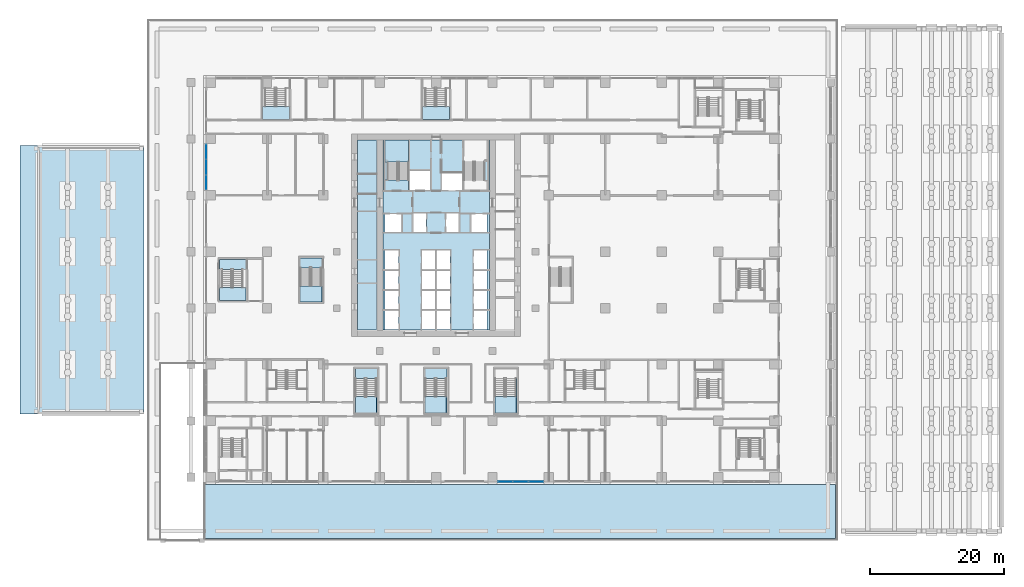
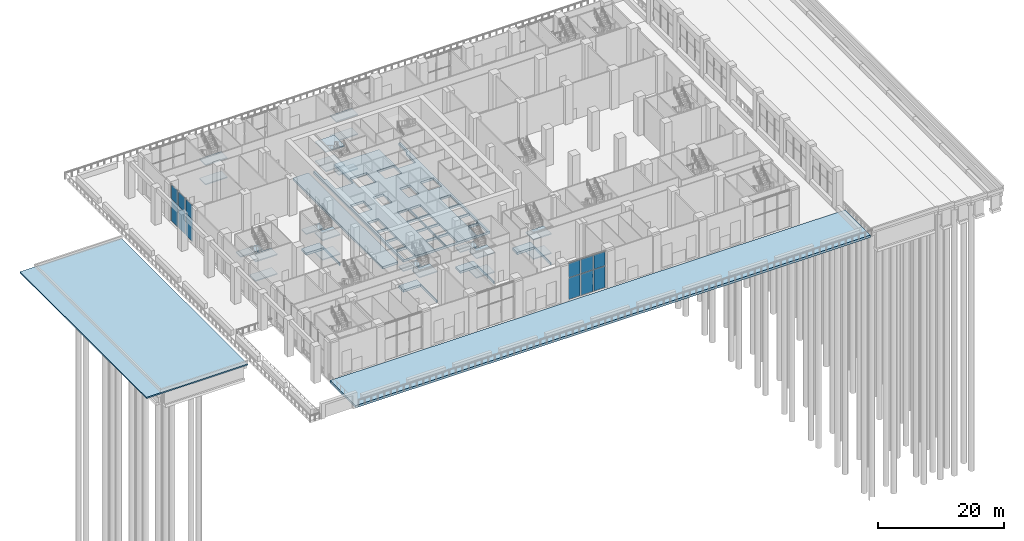
# One storey, part 15 of 53: 28 slabs, 12 plates, 10 elements without a shape of their own.
"""IFC4 building model written with IfcOpenShell, lengths in metres."""

from ifc_helpers import new_model, si_unit, direction, frame, origin, origin_2d, place, context, subcontext, project, spatial, polyline, rectangle, outline, extrude, material, layer, layer_set, type_object, element, aggregate, save


model = new_model("IFC4")

# Units and contexts
model_context = context("Model", 3, precision=1e-05, world=origin(), true_north=direction((0.0, 1.0)))
body_context = subcontext(model_context, "Body", "Model", "MODEL_VIEW")
ifc_project = project(units=[si_unit("LENGTHUNIT", "METRE"), si_unit("AREAUNIT", "SQUARE_METRE"), si_unit("VOLUMEUNIT", "CUBIC_METRE"), si_unit("PLANEANGLEUNIT", "RADIAN"), si_unit("MASSUNIT", "GRAM", prefix="KILO")], contexts=[model_context])

# Site, building, storey
site_placement = place(None, origin())
site = spatial("IfcSite", under=ifc_project, at=site_placement, CompositionType="ELEMENT")
building_placement = place(site_placement, origin())
building = spatial("IfcBuilding", under=site, at=building_placement, Name="Vermilion Ogive Tower", CompositionType="ELEMENT")
storey_placement = place(building_placement, origin())
storey = spatial("IfcBuildingStorey", under=building, at=storey_placement, Name="L00", CompositionType="ELEMENT", Elevation=0.0)

# Curtain wall, plates
ifc_material_1 = material(Name="Clear double glazing in aluminium frame", Category="aluminium")
curtain_wall_type = type_object("IfcCurtainWallType", Name="Curtain wall CW1", PredefinedType="NOTDEFINED", material=ifc_material_1)
curtain_wall_1_placement = place(storey_placement, origin())
curtain_wall_1 = element("IfcCurtainWall", 1, at=curtain_wall_1_placement, inside=storey, type_object=curtain_wall_type, Name="CW1 shopfront glazing S6", PredefinedType="NOTDEFINED")
ifc_material_2 = material(Name="Clear double glazing in aluminium frame", Category="aluminium")
ifc_layer_1 = layer(ifc_material_2, 0.031982421875)
ifc_layer_set_1 = layer_set([ifc_layer_1], Name="CW1 glazing panel 32")
plate_type = type_object("IfcPlateType", Name="CW1 glazing panel 32", PredefinedType="CURTAIN_PANEL", material=ifc_layer_set_1)
plate_1_placement = place(storey_placement, frame((10.311767578125, -30.06005859375, 0.06005859375), z_axis=(0.0, 0.0, 1.0), x_axis=(1.0, 0.0, 0.0)))
plate_1 = element("IfcPlate", 2, at=plate_1_placement, type_object=plate_type, Name="CW1-S6 panel 1.1", PredefinedType="CURTAIN_PANEL", context=body_context, shape_type="SweptSolid", body=[
    extrude(rectangle(XDim=2.063232421875, YDim=0.031982421875, at=origin_2d()), origin(), (0.0, 0.0, 1.0), 4.169921875),
])
plate_2_placement = place(storey_placement, frame((10.311767578125, -30.06005859375, 4.2900390625), z_axis=(0.0, 0.0, 1.0), x_axis=(1.0, 0.0, 0.0)))
plate_2 = element("IfcPlate", 3, at=plate_2_placement, type_object=plate_type, Name="CW1-S6 panel 1.2", PredefinedType="CURTAIN_PANEL", context=body_context, shape_type="SweptSolid", body=[
    extrude(rectangle(XDim=2.063232421875, YDim=0.031982421875, at=origin_2d()), origin(), (0.0, 0.0, 1.0), 2.75),
])
plate_3_placement = place(storey_placement, frame((12.60009765625, -30.06005859375, 0.06005859375), z_axis=(0.0, 0.0, 1.0), x_axis=(1.0, 0.0, 0.0)))
plate_3 = element("IfcPlate", 4, at=plate_3_placement, type_object=plate_type, Name="CW1-S6 panel 2.1", PredefinedType="CURTAIN_PANEL", context=body_context, shape_type="SweptSolid", body=[
    extrude(rectangle(XDim=2.1533203125, YDim=0.031982421875, at=origin_2d()), origin(), (0.0, 0.0, 1.0), 4.169921875),
])
plate_4_placement = place(storey_placement, frame((12.60009765625, -30.06005859375, 4.2900390625), z_axis=(0.0, 0.0, 1.0), x_axis=(1.0, 0.0, 0.0)))
plate_4 = element("IfcPlate", 5, at=plate_4_placement, type_object=plate_type, Name="CW1-S6 panel 2.2", PredefinedType="CURTAIN_PANEL", context=body_context, shape_type="SweptSolid", body=[
    extrude(rectangle(XDim=2.1533203125, YDim=0.031982421875, at=origin_2d()), origin(), (0.0, 0.0, 1.0), 2.75),
])
plate_5_placement = place(storey_placement, frame((14.888427734375, -30.06005859375, 0.06005859375), z_axis=(0.0, 0.0, 1.0), x_axis=(1.0, 0.0, 0.0)))
plate_5 = element("IfcPlate", 6, at=plate_5_placement, type_object=plate_type, Name="CW1-S6 panel 3.1", PredefinedType="CURTAIN_PANEL", context=body_context, shape_type="SweptSolid", body=[
    extrude(rectangle(XDim=2.063232421875, YDim=0.031982421875, at=origin_2d()), origin(), (0.0, 0.0, 1.0), 4.169921875),
])
plate_6_placement = place(storey_placement, frame((14.888427734375, -30.06005859375, 4.2900390625), z_axis=(0.0, 0.0, 1.0), x_axis=(1.0, 0.0, 0.0)))
plate_6 = element("IfcPlate", 7, at=plate_6_placement, type_object=plate_type, Name="CW1-S6 panel 3.2", PredefinedType="CURTAIN_PANEL", context=body_context, shape_type="SweptSolid", body=[
    extrude(rectangle(XDim=2.063232421875, YDim=0.031982421875, at=origin_2d()), origin(), (0.0, 0.0, 1.0), 2.75),
])
aggregate(curtain_wall_1, [plate_1, plate_2, plate_3, plate_4, plate_5, plate_6])

curtain_wall_2_placement = place(storey_placement, origin())
curtain_wall_2 = element("IfcCurtainWall", 8, at=curtain_wall_2_placement, inside=storey, type_object=curtain_wall_type, Name="CW1 shopfront glazing W2", PredefinedType="NOTDEFINED")
plate_7_placement = place(storey_placement, frame((-34.260009765625, 19.08837890625, 0.06005859375), z_axis=(0.0, 0.0, 1.0), x_axis=(0.0, -1.0, 0.0)))
plate_7 = element("IfcPlate", 9, at=plate_7_placement, type_object=plate_type, Name="CW1-W2 panel 1.1", PredefinedType="CURTAIN_PANEL", context=body_context, shape_type="SweptSolid", body=[
    extrude(rectangle(XDim=2.063232421875, YDim=0.031982421875, at=origin_2d()), origin(), (0.0, 0.0, 1.0), 4.169921875),
])
plate_8_placement = place(storey_placement, frame((-34.260009765625, 19.08837890625, 4.2900390625), z_axis=(0.0, 0.0, 1.0), x_axis=(0.0, -1.0, 0.0)))
plate_8 = element("IfcPlate", 10, at=plate_8_placement, type_object=plate_type, Name="CW1-W2 panel 1.2", PredefinedType="CURTAIN_PANEL", context=body_context, shape_type="SweptSolid", body=[
    extrude(rectangle(XDim=2.063232421875, YDim=0.031982421875, at=origin_2d()), origin(), (0.0, 0.0, 1.0), 2.75),
])
plate_9_placement = place(storey_placement, frame((-34.260009765625, 16.800048828125, 0.06005859375), z_axis=(0.0, 0.0, 1.0), x_axis=(0.0, -1.0, 0.0)))
plate_9 = element("IfcPlate", 11, at=plate_9_placement, type_object=plate_type, Name="CW1-W2 panel 2.1", PredefinedType="CURTAIN_PANEL", context=body_context, shape_type="SweptSolid", body=[
    extrude(rectangle(XDim=2.1533203125, YDim=0.031982421875, at=origin_2d()), origin(), (0.0, 0.0, 1.0), 4.169921875),
])
plate_10_placement = place(storey_placement, frame((-34.260009765625, 16.800048828125, 4.2900390625), z_axis=(0.0, 0.0, 1.0), x_axis=(0.0, -1.0, 0.0)))
plate_10 = element("IfcPlate", 12, at=plate_10_placement, type_object=plate_type, Name="CW1-W2 panel 2.2", PredefinedType="CURTAIN_PANEL", context=body_context, shape_type="SweptSolid", body=[
    extrude(rectangle(XDim=2.1533203125, YDim=0.031982421875, at=origin_2d()), origin(), (0.0, 0.0, 1.0), 2.75),
])
plate_11_placement = place(storey_placement, frame((-34.260009765625, 14.51171875, 0.06005859375), z_axis=(0.0, 0.0, 1.0), x_axis=(0.0, -1.0, 0.0)))
plate_11 = element("IfcPlate", 13, at=plate_11_placement, type_object=plate_type, Name="CW1-W2 panel 3.1", PredefinedType="CURTAIN_PANEL", context=body_context, shape_type="SweptSolid", body=[
    extrude(rectangle(XDim=2.063232421875, YDim=0.031982421875, at=origin_2d()), origin(), (0.0, 0.0, 1.0), 4.169921875),
])
plate_12_placement = place(storey_placement, frame((-34.260009765625, 14.51171875, 4.2900390625), z_axis=(0.0, 0.0, 1.0), x_axis=(0.0, -1.0, 0.0)))
plate_12 = element("IfcPlate", 14, at=plate_12_placement, type_object=plate_type, Name="CW1-W2 panel 3.2", PredefinedType="CURTAIN_PANEL", context=body_context, shape_type="SweptSolid", body=[
    extrude(rectangle(XDim=2.063232421875, YDim=0.031982421875, at=origin_2d()), origin(), (0.0, 0.0, 1.0), 2.75),
])
aggregate(curtain_wall_2, [plate_7, plate_8, plate_9, plate_10, plate_11, plate_12])

# Slabs
ifc_material_3 = material(Name="Concrete B40", Category="concrete")
ifc_layer_2 = layer(ifc_material_3, 0.449951171875)
ifc_layer_set_2 = layer_set([ifc_layer_2], Name="Core floor slab 450 B40")
slab_type_1 = type_object("IfcSlabType", Name="Core floor slab 450 B40", PredefinedType="FLOOR", material=ifc_layer_set_2)
slab_1_placement = place(storey_placement, frame((0.0, 0.0, -0.449951171875)))
element("IfcSlab", 15, at=slab_1_placement, inside=storey, type_object=slab_type_1, Name="L00-CK-FS1", PredefinedType="FLOOR", context=body_context, shape_type="SweptSolid", body=[
    extrude(outline(polyline([(-8.85400390625, -7.49609375), (-11.696044921875, -7.49609375), (-11.696044921875, 20.845947265625), (-8.85400390625, 20.845947265625), (-8.85400390625, -7.49609375)])), origin(), (0.0, 0.0, 1.0), 0.449951171875),
])
slab_2_placement = place(storey_placement, frame((0.0, 0.0, -0.449951171875)))
element("IfcSlab", 16, at=slab_2_placement, inside=storey, type_object=slab_type_1, Name="L00-CK-FS2", PredefinedType="FLOOR", context=body_context, shape_type="SweptSolid", body=[
    extrude(outline(polyline([(5.75, 14.85009765625), (5.60009765625, 14.85009765625), (5.60009765625, 14.85205078125), (4.10009765625, 14.85205078125), (4.10009765625, 17.929931640625), (4.074951171875, 17.929931640625), (4.074951171875, 20.845947265625), (-4.10009765625, 20.845947265625), (-4.10009765625, 14.85205078125), (-5.60009765625, 14.85205078125), (-5.60009765625, 14.85009765625), (-5.75, 14.85009765625), (-5.75, 14.85205078125), (-7.25, 14.85205078125), (-7.25, 17.929931640625), (-7.60009765625, 17.929931640625), (-7.60009765625, 20.845947265625), (-7.946044921875, 20.845947265625), (-7.946044921875, -7.49609375), (7.946044921875, -7.49609375), (7.946044921875, 20.845947265625), (7.60009765625, 20.845947265625), (7.60009765625, 17.929931640625), (7.25, 17.929931640625), (7.25, 14.85205078125), (5.75, 14.85205078125), (5.75, 14.85009765625)]), holes=[polyline([(-7.60009765625, -4.60009765625), (-5.60009765625, -4.60009765625), (-5.60009765625, -7.39990234375), (-7.60009765625, -7.39990234375), (-7.60009765625, -4.60009765625)]), polyline([(-2.10009765625, -4.60009765625), (-0.10009765625, -4.60009765625), (-0.10009765625, -7.39990234375), (-2.10009765625, -7.39990234375), (-2.10009765625, -4.60009765625)]), polyline([(-7.60009765625, -1.60009765625), (-5.60009765625, -1.60009765625), (-5.60009765625, -4.39990234375), (-7.60009765625, -4.39990234375), (-7.60009765625, -1.60009765625)]), polyline([(-2.10009765625, -1.60009765625), (-0.10009765625, -1.60009765625), (-0.10009765625, -4.39990234375), (-2.10009765625, -4.39990234375), (-2.10009765625, -1.60009765625)]), polyline([(-7.60009765625, 1.39990234375), (-5.60009765625, 1.39990234375), (-5.60009765625, -1.39990234375), (-7.60009765625, -1.39990234375), (-7.60009765625, 1.39990234375)]), polyline([(-2.10009765625, 1.39990234375), (-0.10009765625, 1.39990234375), (-0.10009765625, -1.39990234375), (-2.10009765625, -1.39990234375), (-2.10009765625, 1.39990234375)]), polyline([(0.10009765625, 1.39990234375), (2.10009765625, 1.39990234375), (2.10009765625, -1.39990234375), (0.10009765625, -1.39990234375), (0.10009765625, 1.39990234375)]), polyline([(-7.60009765625, 4.39990234375), (-5.60009765625, 4.39990234375), (-5.60009765625, 1.60009765625), (-7.60009765625, 1.60009765625), (-7.60009765625, 4.39990234375)]), polyline([(-2.10009765625, 4.39990234375), (-0.10009765625, 4.39990234375), (-0.10009765625, 1.60009765625), (-2.10009765625, 1.60009765625), (-2.10009765625, 4.39990234375)]), polyline([(-7.60009765625, 9.800048828125), (-5.199951171875, 9.800048828125), (-5.199951171875, 7.10009765625), (-7.60009765625, 7.10009765625), (-7.60009765625, 9.800048828125)]), polyline([(-3.39990234375, 9.89990234375), (-1.5, 9.89990234375), (-1.5, 7.10009765625), (-3.39990234375, 7.10009765625), (-3.39990234375, 9.89990234375)]), polyline([(-3.89990234375, 16.300048828125), (-0.85009765625, 16.300048828125), (-0.85009765625, 13.35009765625), (-3.89990234375, 13.35009765625), (-3.89990234375, 16.300048828125)]), polyline([(0.10009765625, -4.60009765625), (2.10009765625, -4.60009765625), (2.10009765625, -7.39990234375), (0.10009765625, -7.39990234375), (0.10009765625, -4.60009765625)]), polyline([(5.60009765625, -4.60009765625), (7.60009765625, -4.60009765625), (7.60009765625, -7.39990234375), (5.60009765625, -7.39990234375), (5.60009765625, -4.60009765625)]), polyline([(0.10009765625, -1.60009765625), (2.10009765625, -1.60009765625), (2.10009765625, -4.39990234375), (0.10009765625, -4.39990234375), (0.10009765625, -1.60009765625)]), polyline([(5.60009765625, -1.60009765625), (7.60009765625, -1.60009765625), (7.60009765625, -4.39990234375), (5.60009765625, -4.39990234375), (5.60009765625, -1.60009765625)]), polyline([(5.60009765625, 1.39990234375), (7.60009765625, 1.39990234375), (7.60009765625, -1.39990234375), (5.60009765625, -1.39990234375), (5.60009765625, 1.39990234375)]), polyline([(0.10009765625, 4.39990234375), (2.10009765625, 4.39990234375), (2.10009765625, 1.60009765625), (0.10009765625, 1.60009765625), (0.10009765625, 4.39990234375)]), polyline([(5.60009765625, 4.39990234375), (7.60009765625, 4.39990234375), (7.60009765625, 1.60009765625), (5.60009765625, 1.60009765625), (5.60009765625, 4.39990234375)]), polyline([(5.199951171875, 9.800048828125), (7.60009765625, 9.800048828125), (7.60009765625, 7.10009765625), (5.199951171875, 7.10009765625), (5.199951171875, 9.800048828125)]), polyline([(1.5, 9.89990234375), (3.39990234375, 9.89990234375), (3.39990234375, 7.10009765625), (1.5, 7.10009765625), (1.5, 9.89990234375)]), polyline([(0.85009765625, 15.89990234375), (3.89990234375, 15.89990234375), (3.89990234375, 13.35009765625), (0.85009765625, 13.35009765625), (0.85009765625, 15.89990234375)])]), origin(), (0.0, 0.0, 1.0), 0.449951171875),
])
slab_3_placement = place(storey_placement, frame((0.0, 0.0, -0.449951171875)))
element("IfcSlab", 17, at=slab_3_placement, inside=storey, type_object=slab_type_1, Name="L00-SF-ST3-1", PredefinedType="FLOOR", context=body_context, shape_type="SweptSolid", body=[
    extrude(outline(polyline([(-12.050048828125, -13.199951171875), (-12.050048828125, -14.701904296875), (-10.550048828125, -14.701904296875), (-10.550048828125, -14.699951171875), (-10.39990234375, -14.699951171875), (-10.39990234375, -14.701904296875), (-8.89990234375, -14.701904296875), (-8.89990234375, -19.800048828125), (-8.75, -19.800048828125), (-8.75, -13.199951171875), (-12.050048828125, -13.199951171875)])), origin(), (0.0, 0.0, 1.0), 0.449951171875),
])
slab_4_placement = place(storey_placement, frame((0.0, 0.0, -0.449951171875)))
element("IfcSlab", 18, at=slab_4_placement, inside=storey, type_object=slab_type_1, Name="L00-SF-ST4-1", PredefinedType="FLOOR", context=body_context, shape_type="SweptSolid", body=[
    extrude(outline(polyline([(-1.64990234375, -13.199951171875), (-1.64990234375, -14.701904296875), (-0.14990234375, -14.701904296875), (-0.14990234375, -14.699951171875), (0.0, -14.699951171875), (0.0, -14.701904296875), (1.5, -14.701904296875), (1.5, -19.800048828125), (1.64990234375, -19.800048828125), (1.64990234375, -13.199951171875), (-1.64990234375, -13.199951171875)])), origin(), (0.0, 0.0, 1.0), 0.449951171875),
])
slab_5_placement = place(storey_placement, frame((0.0, 0.0, -0.449951171875)))
element("IfcSlab", 19, at=slab_5_placement, inside=storey, type_object=slab_type_1, Name="L00-SF-ST5-1", PredefinedType="FLOOR", context=body_context, shape_type="SweptSolid", body=[
    extrude(outline(polyline([(8.75, -13.199951171875), (8.75, -14.701904296875), (10.25, -14.701904296875), (10.25, -14.699951171875), (10.39990234375, -14.699951171875), (10.39990234375, -14.701904296875), (11.89990234375, -14.701904296875), (11.89990234375, -19.800048828125), (12.050048828125, -19.800048828125), (12.050048828125, -13.199951171875), (8.75, -13.199951171875)])), origin(), (0.0, 0.0, 1.0), 0.449951171875),
])
slab_6_placement = place(storey_placement, frame((0.0, 0.0, -0.449951171875)))
element("IfcSlab", 20, at=slab_6_placement, inside=storey, type_object=slab_type_1, Name="L00-SF-ST9-1", PredefinedType="FLOOR", context=body_context, shape_type="SweptSolid", body=[
    extrude(outline(polyline([(-20.25, 3.300048828125), (-20.25, 1.798095703125), (-18.75, 1.798095703125), (-18.75, 1.800048828125), (-18.60009765625, 1.800048828125), (-18.60009765625, 1.798095703125), (-17.10009765625, 1.798095703125), (-17.10009765625, -3.300048828125), (-16.949951171875, -3.300048828125), (-16.949951171875, 3.300048828125), (-20.25, 3.300048828125)])), origin(), (0.0, 0.0, 1.0), 0.449951171875),
])
ifc_material_4 = material(Name="Concrete B45", Category="concrete")
ifc_layer_3 = layer(ifc_material_4, 0.25)
ifc_layer_set_3 = layer_set([ifc_layer_3], Name="Drop-off paving slab 250")
slab_type_2 = type_object("IfcSlabType", Name="Drop-off paving slab 250", PredefinedType="BASESLAB", material=ifc_layer_set_3)
slab_7_placement = place(storey_placement, frame((0.0, 0.0, -0.25)))
element("IfcSlab", 21, at=slab_7_placement, inside=storey, type_object=slab_type_2, Name="West drop-off paving", PredefinedType="BASESLAB", context=body_context, shape_type="SweptSolid", body=[
    extrude(outline(polyline([(-43.5, -20.0), (-43.5, 20.0), (-62.0, 20.0), (-62.0, -20.0), (-43.5, -20.0)])), origin(), (0.0, 0.0, 1.0), 0.25),
])
ifc_material_5 = material(Name="Concrete B45", Category="concrete")
ifc_layer_4 = layer(ifc_material_5, 0.449951171875)
ifc_layer_set_4 = layer_set([ifc_layer_4], Name="Podium roof slab 450")
slab_type_3 = type_object("IfcSlabType", Name="Podium roof slab 450", PredefinedType="ROOF", material=ifc_layer_set_4)
slab_8_placement = place(storey_placement, frame((0.0, 0.0, -0.449951171875)))
element("IfcSlab", 22, at=slab_8_placement, inside=storey, type_object=slab_type_3, Name="L00 deck slab 1", PredefinedType="ROOF", context=body_context, shape_type="SweptSolid", body=[
    extrude(outline(polyline([(-34.5, -38.5), (59.5, -38.5), (59.5, -30.449951171875), (51.449951171875, -30.449951171875), (51.43994140625, -30.449951171875), (-34.5, -30.449951171875), (-34.5, -38.5)])), origin(), (0.0, 0.0, 1.0), 0.449951171875),
])

# Stair, slabs
ifc_material_6 = material(Name="Concrete B40", Category="concrete")
stair_type = type_object("IfcStairType", Name="Exit stair 1500", PredefinedType="HALF_TURN_STAIR", material=ifc_material_6)
stair_1_placement = place(storey_placement, origin())
stair_1 = element("IfcStair", 23, at=stair_1_placement, inside=storey, type_object=stair_type, Name="L00 Exit Stair ST1", PredefinedType="HALF_TURN_STAIR")
ifc_material_7 = material(Name="Concrete B40", Category="concrete")
ifc_layer_5 = layer(ifc_material_7, 0.199951171875)
ifc_layer_set_5 = layer_set([ifc_layer_5], Name="Stair landing 200")
slab_type_4 = type_object("IfcSlabType", Name="Stair landing 200", PredefinedType="LANDING", material=ifc_layer_set_5)
slab_9_placement = place(storey_placement, frame((0.0, 0.0, 1.675048828125)))
slab_9 = element("IfcSlab", 24, at=slab_9_placement, type_object=slab_type_4, Name="ST1 landing 1", PredefinedType="LANDING", context=body_context, shape_type="SweptSolid", body=[
    extrude(outline(polyline([(-7.60009765625, 17.550048828125), (-7.25, 17.550048828125), (-7.25, 17.548095703125), (-5.75, 17.548095703125), (-5.75, 17.550048828125), (-5.60009765625, 17.550048828125), (-5.60009765625, 17.548095703125), (-4.10009765625, 17.548095703125), (-4.10009765625, 20.85009765625), (-7.60009765625, 20.85009765625), (-7.60009765625, 17.550048828125)])), origin(), (0.0, 0.0, 1.0), 0.199951171875),
])
slab_10_placement = place(storey_placement, frame((0.0, 0.0, 3.550048828125)))
slab_10 = element("IfcSlab", 25, at=slab_10_placement, type_object=slab_type_4, Name="ST1 landing 2", PredefinedType="LANDING", context=body_context, shape_type="SweptSolid", body=[
    extrude(outline(polyline([(-4.10009765625, 13.35009765625), (-4.10009765625, 14.85205078125), (-5.60009765625, 14.85205078125), (-5.60009765625, 14.85009765625), (-5.75, 14.85009765625), (-5.75, 14.85205078125), (-7.25, 14.85205078125), (-7.25, 14.85009765625), (-7.60009765625, 14.85009765625), (-7.60009765625, 13.35009765625), (-4.10009765625, 13.35009765625)])), origin(), (0.0, 0.0, 1.0), 0.199951171875),
])
slab_11_placement = place(storey_placement, frame((0.0, 0.0, 5.425048828125)))
slab_11 = element("IfcSlab", 26, at=slab_11_placement, type_object=slab_type_4, Name="ST1 landing 3", PredefinedType="LANDING", context=body_context, shape_type="SweptSolid", body=[
    extrude(outline(polyline([(-7.60009765625, 17.550048828125), (-7.25, 17.550048828125), (-7.25, 17.548095703125), (-5.75, 17.548095703125), (-5.75, 17.550048828125), (-5.60009765625, 17.550048828125), (-5.60009765625, 17.548095703125), (-4.10009765625, 17.548095703125), (-4.10009765625, 20.85009765625), (-7.60009765625, 20.85009765625), (-7.60009765625, 17.550048828125)])), origin(), (0.0, 0.0, 1.0), 0.199951171875),
])
aggregate(stair_1, [slab_9, slab_10, slab_11])

stair_2_placement = place(storey_placement, origin())
stair_2 = element("IfcStair", 27, at=stair_2_placement, inside=storey, type_object=stair_type, Name="L00 Exit Stair ST3", PredefinedType="HALF_TURN_STAIR")
slab_12_placement = place(storey_placement, frame((0.0, 0.0, 3.550048828125)))
slab_12 = element("IfcSlab", 28, at=slab_12_placement, type_object=slab_type_4, Name="ST3 landing 2", PredefinedType="LANDING", context=body_context, shape_type="SweptSolid", body=[
    extrude(outline(polyline([(-12.050048828125, -13.199951171875), (-12.050048828125, -14.701904296875), (-10.550048828125, -14.701904296875), (-10.550048828125, -14.699951171875), (-10.39990234375, -14.699951171875), (-10.39990234375, -14.701904296875), (-8.89990234375, -14.701904296875), (-8.89990234375, -14.699951171875), (-8.75, -14.699951171875), (-8.75, -13.199951171875), (-12.050048828125, -13.199951171875)])), origin(), (0.0, 0.0, 1.0), 0.199951171875),
])
slab_13_placement = place(storey_placement, frame((0.0, 0.0, 5.425048828125)))
slab_13 = element("IfcSlab", 29, at=slab_13_placement, type_object=slab_type_4, Name="ST3 landing 3", PredefinedType="LANDING", context=body_context, shape_type="SweptSolid", body=[
    extrude(outline(polyline([(-8.75, -17.39990234375), (-8.89990234375, -17.39990234375), (-8.89990234375, -17.39794921875), (-10.39990234375, -17.39794921875), (-10.39990234375, -17.39990234375), (-10.550048828125, -17.39990234375), (-10.550048828125, -17.39794921875), (-12.050048828125, -17.39794921875), (-12.050048828125, -19.800048828125), (-8.75, -19.800048828125), (-8.75, -17.39990234375)])), origin(), (0.0, 0.0, 1.0), 0.199951171875),
])
aggregate(stair_2, [slab_12, slab_13])

stair_3_placement = place(storey_placement, origin())
stair_3 = element("IfcStair", 30, at=stair_3_placement, inside=storey, type_object=stair_type, Name="L00 Exit Stair ST4", PredefinedType="HALF_TURN_STAIR")
slab_14_placement = place(storey_placement, frame((0.0, 0.0, 1.675048828125)))
slab_14 = element("IfcSlab", 31, at=slab_14_placement, type_object=slab_type_4, Name="ST4 landing 1", PredefinedType="LANDING", context=body_context, shape_type="SweptSolid", body=[
    extrude(outline(polyline([(1.64990234375, -17.39990234375), (1.5, -17.39990234375), (1.5, -17.39794921875), (0.0, -17.39794921875), (0.0, -17.39990234375), (-0.14990234375, -17.39990234375), (-0.14990234375, -17.39794921875), (-1.64990234375, -17.39794921875), (-1.64990234375, -19.800048828125), (1.64990234375, -19.800048828125), (1.64990234375, -17.39990234375)])), origin(), (0.0, 0.0, 1.0), 0.199951171875),
])
slab_15_placement = place(storey_placement, frame((0.0, 0.0, 3.550048828125)))
slab_15 = element("IfcSlab", 32, at=slab_15_placement, type_object=slab_type_4, Name="ST4 landing 2", PredefinedType="LANDING", context=body_context, shape_type="SweptSolid", body=[
    extrude(outline(polyline([(-1.64990234375, -13.199951171875), (-1.64990234375, -14.701904296875), (-0.14990234375, -14.701904296875), (-0.14990234375, -14.699951171875), (0.0, -14.699951171875), (0.0, -14.701904296875), (1.5, -14.701904296875), (1.5, -14.699951171875), (1.64990234375, -14.699951171875), (1.64990234375, -13.199951171875), (-1.64990234375, -13.199951171875)])), origin(), (0.0, 0.0, 1.0), 0.199951171875),
])
slab_16_placement = place(storey_placement, frame((0.0, 0.0, 5.425048828125)))
slab_16 = element("IfcSlab", 33, at=slab_16_placement, type_object=slab_type_4, Name="ST4 landing 3", PredefinedType="LANDING", context=body_context, shape_type="SweptSolid", body=[
    extrude(outline(polyline([(1.64990234375, -17.39990234375), (1.5, -17.39990234375), (1.5, -17.39794921875), (0.0, -17.39794921875), (0.0, -17.39990234375), (-0.14990234375, -17.39990234375), (-0.14990234375, -17.39794921875), (-1.64990234375, -17.39794921875), (-1.64990234375, -19.800048828125), (1.64990234375, -19.800048828125), (1.64990234375, -17.39990234375)])), origin(), (0.0, 0.0, 1.0), 0.199951171875),
])
aggregate(stair_3, [slab_14, slab_15, slab_16])

stair_4_placement = place(storey_placement, origin())
stair_4 = element("IfcStair", 34, at=stair_4_placement, inside=storey, type_object=stair_type, Name="L00 Exit Stair ST5", PredefinedType="HALF_TURN_STAIR")
slab_17_placement = place(storey_placement, frame((0.0, 0.0, 1.675048828125)))
slab_17 = element("IfcSlab", 35, at=slab_17_placement, type_object=slab_type_4, Name="ST5 landing 1", PredefinedType="LANDING", context=body_context, shape_type="SweptSolid", body=[
    extrude(outline(polyline([(12.050048828125, -17.39990234375), (11.89990234375, -17.39990234375), (11.89990234375, -17.39794921875), (10.39990234375, -17.39794921875), (10.39990234375, -17.39990234375), (10.25, -17.39990234375), (10.25, -17.39794921875), (8.75, -17.39794921875), (8.75, -19.800048828125), (12.050048828125, -19.800048828125), (12.050048828125, -17.39990234375)])), origin(), (0.0, 0.0, 1.0), 0.199951171875),
])
slab_18_placement = place(storey_placement, frame((0.0, 0.0, 5.425048828125)))
slab_18 = element("IfcSlab", 36, at=slab_18_placement, type_object=slab_type_4, Name="ST5 landing 3", PredefinedType="LANDING", context=body_context, shape_type="SweptSolid", body=[
    extrude(outline(polyline([(12.050048828125, -17.39990234375), (11.89990234375, -17.39990234375), (11.89990234375, -17.39794921875), (10.39990234375, -17.39794921875), (10.39990234375, -17.39990234375), (10.25, -17.39990234375), (10.25, -17.39794921875), (8.75, -17.39794921875), (8.75, -19.800048828125), (12.050048828125, -19.800048828125), (12.050048828125, -17.39990234375)])), origin(), (0.0, 0.0, 1.0), 0.199951171875),
])
aggregate(stair_4, [slab_17, slab_18])

stair_5_placement = place(storey_placement, origin())
stair_5 = element("IfcStair", 37, at=stair_5_placement, inside=storey, type_object=stair_type, Name="L00 Exit Stair ST9", PredefinedType="HALF_TURN_STAIR")
slab_19_placement = place(storey_placement, frame((0.0, 0.0, 1.675048828125)))
slab_19 = element("IfcSlab", 38, at=slab_19_placement, type_object=slab_type_4, Name="ST9 landing 1", PredefinedType="LANDING", context=body_context, shape_type="SweptSolid", body=[
    extrude(outline(polyline([(-16.949951171875, -0.89990234375), (-17.10009765625, -0.89990234375), (-17.10009765625, -0.89794921875), (-18.60009765625, -0.89794921875), (-18.60009765625, -0.89990234375), (-18.75, -0.89990234375), (-18.75, -0.89794921875), (-20.25, -0.89794921875), (-20.25, -3.300048828125), (-16.949951171875, -3.300048828125), (-16.949951171875, -0.89990234375)])), origin(), (0.0, 0.0, 1.0), 0.199951171875),
])
slab_20_placement = place(storey_placement, frame((0.0, 0.0, 3.550048828125)))
slab_20 = element("IfcSlab", 39, at=slab_20_placement, type_object=slab_type_4, Name="ST9 landing 2", PredefinedType="LANDING", context=body_context, shape_type="SweptSolid", body=[
    extrude(outline(polyline([(-20.25, 3.300048828125), (-20.25, 1.798095703125), (-18.75, 1.798095703125), (-18.75, 1.800048828125), (-18.60009765625, 1.800048828125), (-18.60009765625, 1.798095703125), (-17.10009765625, 1.798095703125), (-17.10009765625, 1.800048828125), (-16.949951171875, 1.800048828125), (-16.949951171875, 3.300048828125), (-20.25, 3.300048828125)])), origin(), (0.0, 0.0, 1.0), 0.199951171875),
])
slab_21_placement = place(storey_placement, frame((0.0, 0.0, 5.425048828125)))
slab_21 = element("IfcSlab", 40, at=slab_21_placement, type_object=slab_type_4, Name="ST9 landing 3", PredefinedType="LANDING", context=body_context, shape_type="SweptSolid", body=[
    extrude(outline(polyline([(-16.949951171875, -0.89990234375), (-17.10009765625, -0.89990234375), (-17.10009765625, -0.89794921875), (-18.60009765625, -0.89794921875), (-18.60009765625, -0.89990234375), (-18.75, -0.89990234375), (-18.75, -0.89794921875), (-20.25, -0.89794921875), (-20.25, -3.300048828125), (-16.949951171875, -3.300048828125), (-16.949951171875, -0.89990234375)])), origin(), (0.0, 0.0, 1.0), 0.199951171875),
])
aggregate(stair_5, [slab_19, slab_20, slab_21])

stair_6_placement = place(storey_placement, origin())
stair_6 = element("IfcStair", 41, at=stair_6_placement, inside=storey, type_object=stair_type, Name="L00 Exit Stair PS1", PredefinedType="HALF_TURN_STAIR")
slab_22_placement = place(storey_placement, frame((0.0, 0.0, 1.675048828125)))
slab_22 = element("IfcSlab", 42, at=slab_22_placement, type_object=slab_type_4, Name="PS1 landing 1", PredefinedType="LANDING", context=body_context, shape_type="SweptSolid", body=[
    extrude(outline(polyline([(-21.85009765625, 25.85009765625), (-22.35009765625, 25.85009765625), (-22.35009765625, 25.85205078125), (-23.85009765625, 25.85205078125), (-23.85009765625, 25.85009765625), (-24.0, 25.85009765625), (-24.0, 25.85205078125), (-25.5, 25.85205078125), (-25.5, 25.85009765625), (-25.849853515625, 25.85009765625), (-25.849853515625, 23.925048828125), (-21.85009765625, 23.925048828125), (-21.85009765625, 25.85009765625)])), origin(), (0.0, 0.0, 1.0), 0.199951171875),
])
slab_23_placement = place(storey_placement, frame((0.0, 0.0, 5.425048828125)))
slab_23 = element("IfcSlab", 43, at=slab_23_placement, type_object=slab_type_4, Name="PS1 landing 3", PredefinedType="LANDING", context=body_context, shape_type="SweptSolid", body=[
    extrude(outline(polyline([(-21.85009765625, 25.85009765625), (-22.35009765625, 25.85009765625), (-22.35009765625, 25.85205078125), (-23.85009765625, 25.85205078125), (-23.85009765625, 25.85009765625), (-24.0, 25.85009765625), (-24.0, 25.85205078125), (-25.5, 25.85205078125), (-25.5, 25.85009765625), (-25.849853515625, 25.85009765625), (-25.849853515625, 23.925048828125), (-21.85009765625, 23.925048828125), (-21.85009765625, 25.85009765625)])), origin(), (0.0, 0.0, 1.0), 0.199951171875),
])
aggregate(stair_6, [slab_22, slab_23])

stair_7_placement = place(storey_placement, origin())
stair_7 = element("IfcStair", 44, at=stair_7_placement, inside=storey, type_object=stair_type, Name="L00 Exit Stair PS5", PredefinedType="HALF_TURN_STAIR")
slab_24_placement = place(storey_placement, frame((0.0, 0.0, 1.675048828125)))
slab_24 = element("IfcSlab", 45, at=slab_24_placement, type_object=slab_type_4, Name="PS5 landing 1", PredefinedType="LANDING", context=body_context, shape_type="SweptSolid", body=[
    extrude(outline(polyline([(2.0, 25.85009765625), (1.5, 25.85009765625), (1.5, 25.85205078125), (0.0, 25.85205078125), (0.0, 25.85009765625), (-0.14990234375, 25.85009765625), (-0.14990234375, 25.85205078125), (-1.64990234375, 25.85205078125), (-1.64990234375, 25.85009765625), (-2.0, 25.85009765625), (-2.0, 23.925048828125), (2.0, 23.925048828125), (2.0, 25.85009765625)])), origin(), (0.0, 0.0, 1.0), 0.199951171875),
])
slab_25_placement = place(storey_placement, frame((0.0, 0.0, 5.425048828125)))
slab_25 = element("IfcSlab", 46, at=slab_25_placement, type_object=slab_type_4, Name="PS5 landing 3", PredefinedType="LANDING", context=body_context, shape_type="SweptSolid", body=[
    extrude(outline(polyline([(2.0, 25.85009765625), (1.5, 25.85009765625), (1.5, 25.85205078125), (0.0, 25.85205078125), (0.0, 25.85009765625), (-0.14990234375, 25.85009765625), (-0.14990234375, 25.85205078125), (-1.64990234375, 25.85205078125), (-1.64990234375, 25.85009765625), (-2.0, 25.85009765625), (-2.0, 23.925048828125), (2.0, 23.925048828125), (2.0, 25.85009765625)])), origin(), (0.0, 0.0, 1.0), 0.199951171875),
])
aggregate(stair_7, [slab_24, slab_25])

stair_8_placement = place(storey_placement, origin())
stair_8 = element("IfcStair", 47, at=stair_8_placement, inside=storey, type_object=stair_type, Name="L00 Exit Stair PWC", PredefinedType="HALF_TURN_STAIR")
slab_26_placement = place(storey_placement, frame((0.0, 0.0, 1.675048828125)))
slab_26 = element("IfcSlab", 48, at=slab_26_placement, type_object=slab_type_4, Name="PWC landing 1", PredefinedType="LANDING", context=body_context, shape_type="SweptSolid", body=[
    extrude(outline(polyline([(-28.300048828125, -1.14990234375), (-28.800048828125, -1.14990234375), (-28.800048828125, -1.14794921875), (-30.300048828125, -1.14794921875), (-30.300048828125, -1.14990234375), (-30.449951171875, -1.14990234375), (-30.449951171875, -1.14794921875), (-31.949951171875, -1.14794921875), (-31.949951171875, -1.14990234375), (-32.3125, -1.14990234375), (-32.3125, -3.074951171875), (-28.300048828125, -3.074951171875), (-28.300048828125, -1.14990234375)])), origin(), (0.0, 0.0, 1.0), 0.199951171875),
])
slab_27_placement = place(storey_placement, frame((0.0, 0.0, 3.550048828125)))
slab_27 = element("IfcSlab", 49, at=slab_27_placement, type_object=slab_type_4, Name="PWC landing 2", PredefinedType="LANDING", context=body_context, shape_type="SweptSolid", body=[
    extrude(outline(polyline([(-32.3125, 1.550048828125), (-31.949951171875, 1.550048828125), (-31.949951171875, 1.548095703125), (-30.449951171875, 1.548095703125), (-30.449951171875, 1.550048828125), (-30.300048828125, 1.550048828125), (-30.300048828125, 1.548095703125), (-28.800048828125, 1.548095703125), (-28.800048828125, 1.550048828125), (-28.300048828125, 1.550048828125), (-28.300048828125, 3.074951171875), (-32.3125, 3.074951171875), (-32.3125, 1.550048828125)])), origin(), (0.0, 0.0, 1.0), 0.199951171875),
])
slab_28_placement = place(storey_placement, frame((0.0, 0.0, 5.425048828125)))
slab_28 = element("IfcSlab", 50, at=slab_28_placement, type_object=slab_type_4, Name="PWC landing 3", PredefinedType="LANDING", context=body_context, shape_type="SweptSolid", body=[
    extrude(outline(polyline([(-28.300048828125, -1.14990234375), (-28.800048828125, -1.14990234375), (-28.800048828125, -1.14794921875), (-30.300048828125, -1.14794921875), (-30.300048828125, -1.14990234375), (-30.449951171875, -1.14990234375), (-30.449951171875, -1.14794921875), (-31.949951171875, -1.14794921875), (-31.949951171875, -1.14990234375), (-32.3125, -1.14990234375), (-32.3125, -3.074951171875), (-28.300048828125, -3.074951171875), (-28.300048828125, -1.14990234375)])), origin(), (0.0, 0.0, 1.0), 0.199951171875),
])
aggregate(stair_8, [slab_26, slab_27, slab_28])

save(model, "model.ifc")
